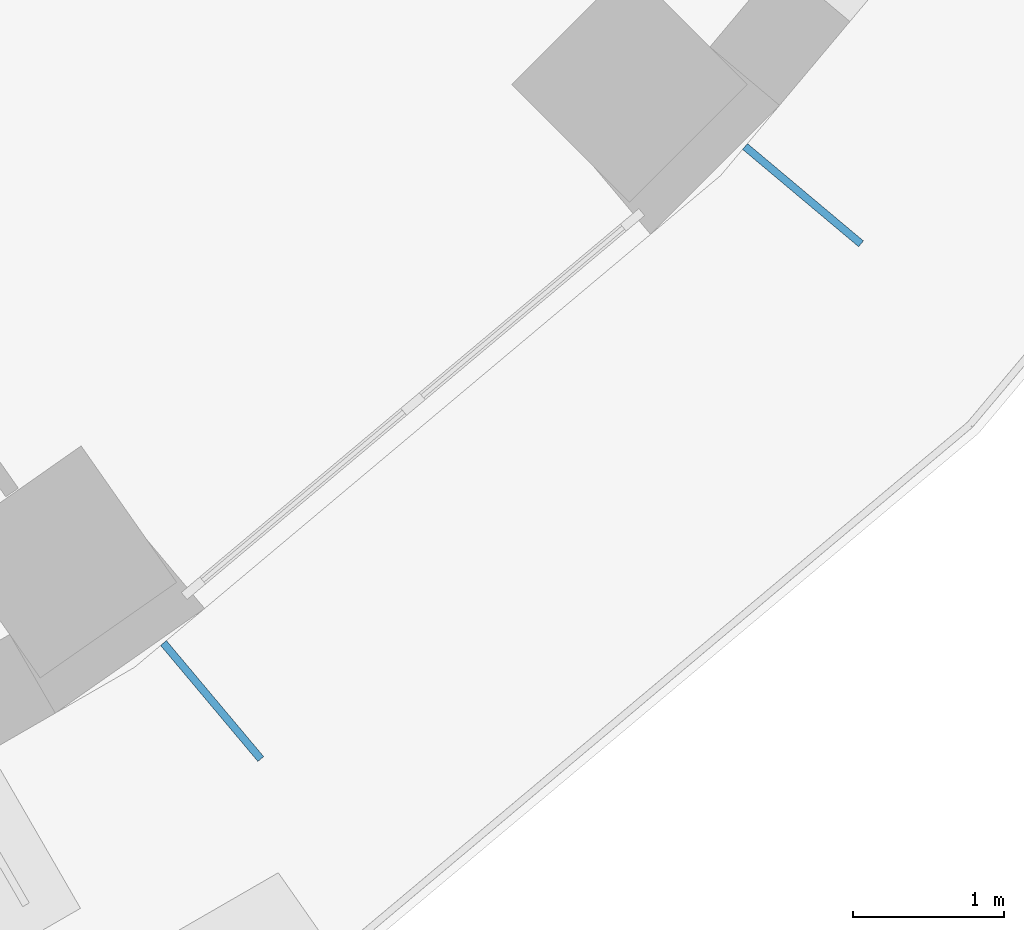
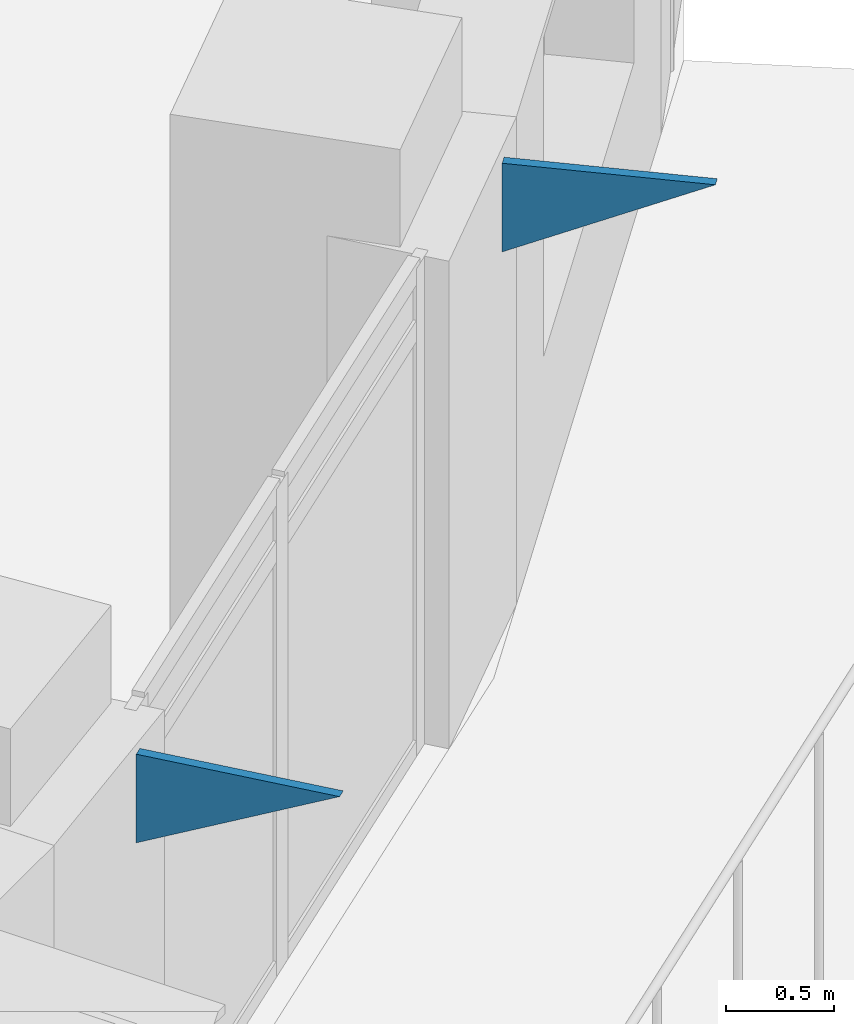
# One storey, part 16 of 17: 2 discrete accessories.
"""IFC4 building model written with IfcOpenShell, lengths in metres."""

from ifc_helpers import new_model, si_unit, direction, frame, origin, place, context, subcontext, project, spatial, polyline, outline, extrude, material, layer, layer_set, type_object, element, save


model = new_model("IFC4")

# Units and contexts
model_context = context("Model", 3, precision=1e-05, world=origin(), true_north=direction((0.0, 1.0)))
body_context = subcontext(model_context, "Body", "Model", "MODEL_VIEW")
ifc_project = project(units=[si_unit("LENGTHUNIT", "METRE"), si_unit("AREAUNIT", "SQUARE_METRE"), si_unit("VOLUMEUNIT", "CUBIC_METRE"), si_unit("PLANEANGLEUNIT", "RADIAN"), si_unit("MASSUNIT", "GRAM", prefix="KILO")], contexts=[model_context])

# Site, building, storey
site_placement = place(None, origin())
site = spatial("IfcSite", under=ifc_project, at=site_placement, CompositionType="ELEMENT")
building_placement = place(site_placement, origin())
building = spatial("IfcBuilding", under=site, at=building_placement, Name="Saqina Gate Tower", CompositionType="ELEMENT")
storey_placement = place(building_placement, frame((0.0, 0.0, 29.60009765625)))
storey = spatial("IfcBuildingStorey", under=building, at=storey_placement, Name="L07", CompositionType="ELEMENT", Elevation=29.60009765625)

# Discrete accessories
ifc_material = material(Name="Galvanised steel", Category="steel")
ifc_layer = layer(ifc_material, 0.050048828125)
ifc_layer_set = layer_set([ifc_layer], Name="BR-GUSSET")
discrete_accessory_type = type_object("IfcDiscreteAccessoryType", Name="BR-GUSSET", PredefinedType="BRACKET", material=ifc_layer_set)
for number, where, z_axis, x_axis, name in (
    (1, (16.844482421875, -23.57861328125, 2.25), (0.766055819685, 0.64277405138, 0.0), (0.0, 0.0, 1.0), "Terrace slab bracket L08 4"),
    (2, (20.682861328125, -20.29541015625, 2.25), (0.64277405138, 0.766055819685, 0.0), (0.0, 0.0, 1.0), "Terrace slab bracket L08 5"),
):
    element("IfcDiscreteAccessory", number, at=place(storey_placement, frame(where, z_axis=z_axis, x_axis=x_axis)), inside=storey, type_object=discrete_accessory_type, Name=name, PredefinedType="BRACKET", context=body_context, shape_type="SweptSolid", body=[
        extrude(outline(polyline([(0.0, 0.0), (0.5, 0.0), (0.5, 1.0000750096322275), (0.0, 0.0)])), origin(), (0.0, 0.0, -1.0), 0.050048828125),
    ])

save(model, "model.ifc")
